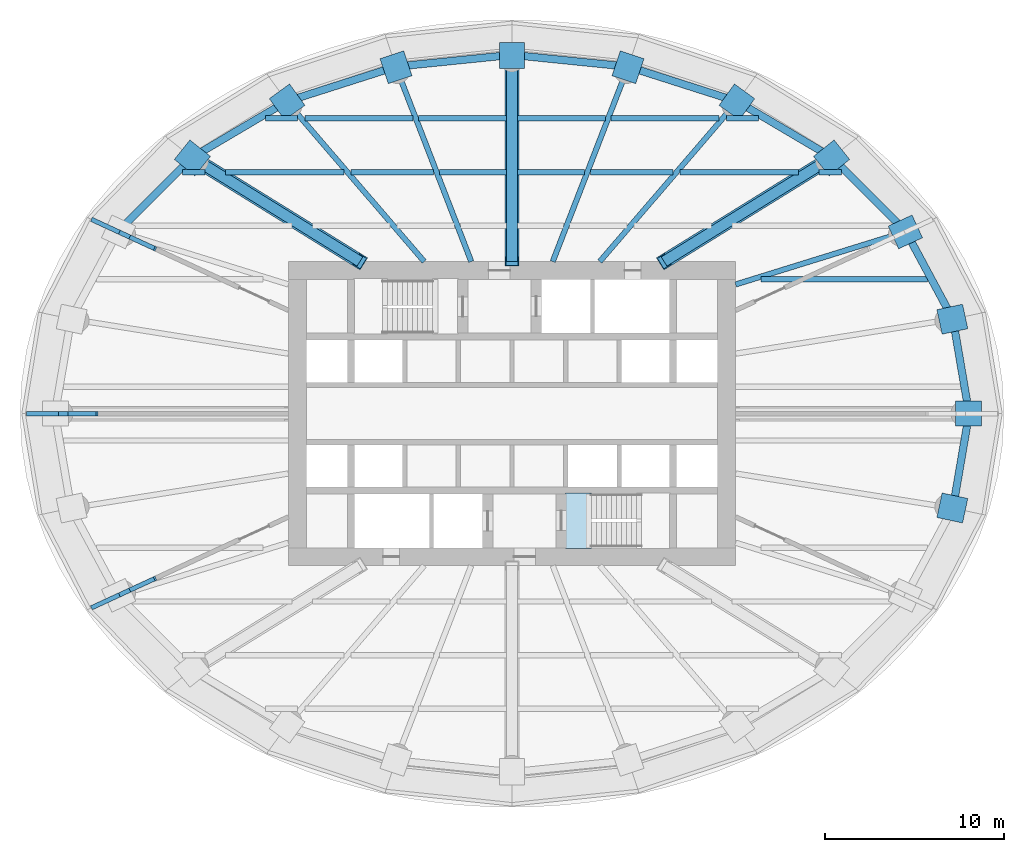
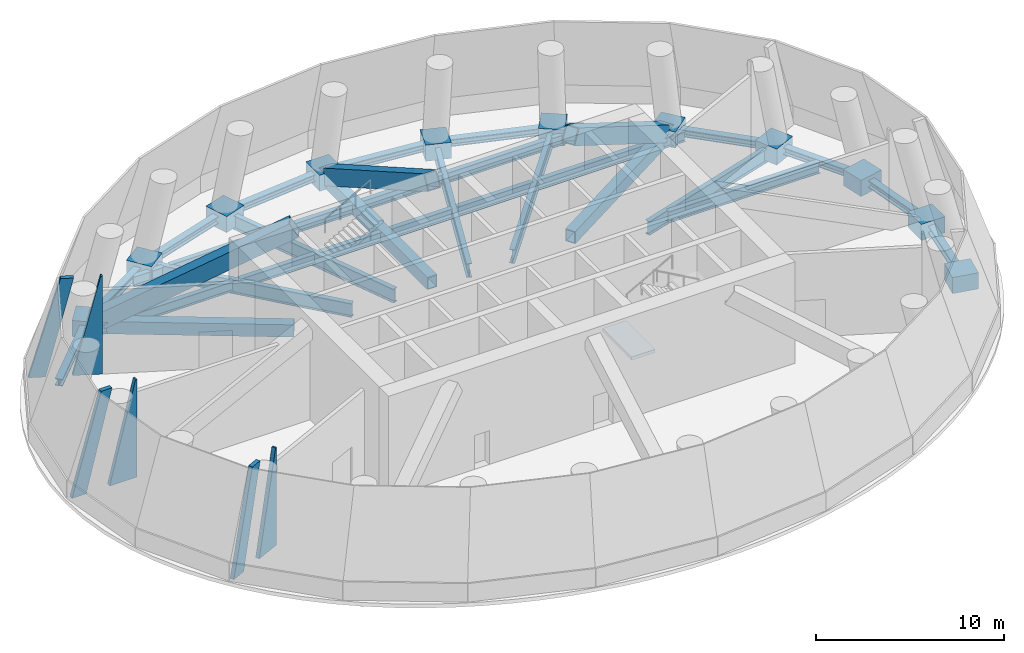
# One storey, part 3 of 7: 45 beams, 6 plates, 3 members, 1 slab, 1 element without a shape of its own.
"""IFC4 building model written with IfcOpenShell, lengths in metres."""

from ifc_helpers import new_model, si_unit, direction, frame, origin, origin_2d, place, context, subcontext, project, spatial, polyline, rectangle, hollow_rectangle, i_section, outline, extrude, material, layer, layer_set, material_profile, profile_set, type_object, element, aggregate, save


model = new_model("IFC4")

# Units and contexts
model_context = context("Model", 3, precision=1e-05, world=origin(), true_north=direction((0.0, 1.0)))
body_context = subcontext(model_context, "Body", "Model", "MODEL_VIEW")
ifc_project = project(units=[si_unit("LENGTHUNIT", "METRE"), si_unit("AREAUNIT", "SQUARE_METRE"), si_unit("VOLUMEUNIT", "CUBIC_METRE"), si_unit("PLANEANGLEUNIT", "RADIAN"), si_unit("MASSUNIT", "GRAM", prefix="KILO")], contexts=[model_context])

# Site, building, storey
site_placement = place(None, origin())
site = spatial("IfcSite", under=ifc_project, at=site_placement, CompositionType="ELEMENT")
building_placement = place(site_placement, origin())
building = spatial("IfcBuilding", under=site, at=building_placement, Name="Hankou Lantern Tower", CompositionType="ELEMENT")
storey_placement = place(building_placement, frame((0.0, 0.0, 93.60009765625)))
storey = spatial("IfcBuildingStorey", under=building, at=storey_placement, Name="L24", CompositionType="ELEMENT", Elevation=93.60009765625)

# Beams
ifc_material_1 = material(Name="Steel Q355B", Category="steel")
ifc_material_profile_1 = material_profile(ifc_material_1, i_section(OverallWidth=0.4169921875, OverallDepth=0.4580078125, WebThickness=0.030029296875, FlangeThickness=0.050048828125, FilletRadius=0.02197265625, at=origin_2d()), Name="HW458x417x30x50")
ifc_profile_set_1 = profile_set([ifc_material_profile_1], Name="Steel Q355B")
beam_type_1 = type_object("IfcBeamType", Name="EB21 RING BEAM HW458x417x30x50", PredefinedType="SPANDREL", material=ifc_profile_set_1)
beam_1_placement = place(storey_placement, frame((25.550048828125, 0.0, -0.47900390625), z_axis=(-0.168489691988, 0.985703415685, 0.0), x_axis=(-0.985703415685, -0.168489691988, 0.0)))
element("IfcBeam", 1, at=beam_1_placement, inside=storey, type_object=beam_type_1, Name="Ring beam R01-R02 L24", PredefinedType="SPANDREL", context=body_context, shape_type="SweptSolid", body=[
    extrude(i_section(OverallWidth=0.4169921875, OverallDepth=0.4580078125, WebThickness=0.030029296875, FlangeThickness=0.050048828125, FilletRadius=0.02197265625, at=origin_2d()), origin(), (0.0, 0.0, 1.0), 5.35986328125),
])
beam_2_placement = place(storey_placement, frame((24.64697265625, 5.283203125, -0.47900390625), z_axis=(-0.473609096023, 0.880735161194, 0.0), x_axis=(-0.880735161194, -0.473609096023, 0.0)))
element("IfcBeam", 2, at=beam_2_placement, inside=storey, type_object=beam_type_1, Name="Ring beam R02-R03 L24", PredefinedType="SPANDREL", context=body_context, shape_type="SweptSolid", body=[
    extrude(i_section(OverallWidth=0.4169921875, OverallDepth=0.4580078125, WebThickness=0.030029296875, FlangeThickness=0.050048828125, FilletRadius=0.02197265625, at=origin_2d()), origin(), (0.0, 0.0, 1.0), 5.548828125),
])
beam_3_placement = place(storey_placement, frame((22.01904296875, 10.170166015625, -0.47900390625), z_axis=(-0.705727798394, 0.708483079949, 0.0), x_axis=(-0.708483079949, -0.705727798394, 0.0)))
element("IfcBeam", 3, at=beam_3_placement, inside=storey, type_object=beam_type_1, Name="Ring beam R03-R04 L24", PredefinedType="SPANDREL", context=body_context, shape_type="SweptSolid", body=[
    extrude(i_section(OverallWidth=0.4169921875, OverallDepth=0.4580078125, WebThickness=0.030029296875, FlangeThickness=0.050048828125, FilletRadius=0.02197265625, at=origin_2d()), origin(), (0.0, 0.0, 1.0), 5.84814453125),
])
beam_4_placement = place(storey_placement, frame((17.891845703125, 14.3134765625, -0.47900390625), z_axis=(-0.860881533543, 0.508805449268, 0.0), x_axis=(-0.508805449268, -0.860881533543, 0.0)))
element("IfcBeam", 4, at=beam_4_placement, inside=storey, type_object=beam_type_1, Name="Ring beam R04-R05 L24", PredefinedType="SPANDREL", context=body_context, shape_type="SweptSolid", body=[
    extrude(i_section(OverallWidth=0.4169921875, OverallDepth=0.4580078125, WebThickness=0.030029296875, FlangeThickness=0.050048828125, FilletRadius=0.02197265625, at=origin_2d()), origin(), (0.0, 0.0, 1.0), 6.15771484375),
])
beam_5_placement = place(storey_placement, frame((12.5908203125, 17.446533203125, -0.47900390625), z_axis=(-0.952690479428, 0.303942182671, 0.0), x_axis=(-0.303942182671, -0.952690479428, 0.0)))
element("IfcBeam", 5, at=beam_5_placement, inside=storey, type_object=beam_type_1, Name="Ring beam R05-R06 L24", PredefinedType="SPANDREL", context=body_context, shape_type="SweptSolid", body=[
    extrude(i_section(OverallWidth=0.4169921875, OverallDepth=0.4580078125, WebThickness=0.030029296875, FlangeThickness=0.050048828125, FilletRadius=0.02197265625, at=origin_2d()), origin(), (0.0, 0.0, 1.0), 6.398681640625),
])
for number, where, z_axis, x_axis, name in (
    (6, (6.494873046875, 19.391357421875, -0.47900390625), (-0.994896616842, 0.100899562915, 0.0), (-0.100899562915, -0.994896616842, 0.0), "Ring beam R06-R07 L24"),
    (7, (0.0, 20.050048828125, -0.47900390625), (-0.994896616842, -0.100899562915, 0.0), (0.100899562915, -0.994896616842, 0.0), "Ring beam R07-R08 L24"),
):
    element("IfcBeam", number, at=place(storey_placement, frame(where, z_axis=z_axis, x_axis=x_axis)), inside=storey, type_object=beam_type_1, Name=name, PredefinedType="SPANDREL", context=body_context, shape_type="SweptSolid", body=[
        extrude(i_section(OverallWidth=0.4169921875, OverallDepth=0.4580078125, WebThickness=0.030029296875, FlangeThickness=0.050048828125, FilletRadius=0.02197265625, at=origin_2d()), origin(), (0.0, 0.0, 1.0), 6.528076171875),
    ])
beam_6_placement = place(storey_placement, frame((-6.494873046875, 19.391357421875, -0.47900390625), z_axis=(-0.952690479428, -0.303942182671, 0.0), x_axis=(0.303942182671, -0.952690479428, 0.0)))
element("IfcBeam", 8, at=beam_6_placement, inside=storey, type_object=beam_type_1, Name="Ring beam R08-R09 L24", PredefinedType="SPANDREL", context=body_context, shape_type="SweptSolid", body=[
    extrude(i_section(OverallWidth=0.4169921875, OverallDepth=0.4580078125, WebThickness=0.030029296875, FlangeThickness=0.050048828125, FilletRadius=0.02197265625, at=origin_2d()), origin(), (0.0, 0.0, 1.0), 6.398681640625),
])
beam_7_placement = place(storey_placement, frame((-12.5908203125, 17.446533203125, -0.47900390625), z_axis=(-0.860881533543, -0.508805449268, 0.0), x_axis=(0.508805449268, -0.860881533543, 0.0)))
element("IfcBeam", 9, at=beam_7_placement, inside=storey, type_object=beam_type_1, Name="Ring beam R09-R10 L24", PredefinedType="SPANDREL", context=body_context, shape_type="SweptSolid", body=[
    extrude(i_section(OverallWidth=0.4169921875, OverallDepth=0.4580078125, WebThickness=0.030029296875, FlangeThickness=0.050048828125, FilletRadius=0.02197265625, at=origin_2d()), origin(), (0.0, 0.0, 1.0), 6.15771484375),
])
beam_8_placement = place(storey_placement, frame((-17.891845703125, 14.3134765625, -0.47900390625), z_axis=(-0.705727798394, -0.708483079949, 0.0), x_axis=(0.708483079949, -0.705727798394, 0.0)))
element("IfcBeam", 10, at=beam_8_placement, inside=storey, type_object=beam_type_1, Name="Ring beam R10-R11 L24", PredefinedType="SPANDREL", context=body_context, shape_type="SweptSolid", body=[
    extrude(i_section(OverallWidth=0.4169921875, OverallDepth=0.4580078125, WebThickness=0.030029296875, FlangeThickness=0.050048828125, FilletRadius=0.02197265625, at=origin_2d()), origin(), (0.0, 0.0, 1.0), 5.84814453125),
])
beam_9_placement = place(storey_placement, frame((24.64697265625, -5.283203125, -0.47900390625), z_axis=(0.168489691988, 0.985703415685, 0.0), x_axis=(-0.985703415685, 0.168489691988, 0.0)))
element("IfcBeam", 11, at=beam_9_placement, inside=storey, type_object=beam_type_1, Name="Ring beam R24-R01 L24", PredefinedType="SPANDREL", context=body_context, shape_type="SweptSolid", body=[
    extrude(i_section(OverallWidth=0.4169921875, OverallDepth=0.4580078125, WebThickness=0.030029296875, FlangeThickness=0.050048828125, FilletRadius=0.02197265625, at=origin_2d()), origin(), (0.0, 0.0, 1.0), 5.35986328125),
])

# Members
ifc_material_2 = material(Name="Steel Q390GJ", Category="steel")
ifc_material_profile_2 = material_profile(ifc_material_2, hollow_rectangle(XDim=0.800048828125, YDim=1.0, WallThickness=0.06005859375, at=origin_2d()), Name="BOX1000x800x60")
ifc_profile_set_2 = profile_set([ifc_material_profile_2], Name="Steel Q390GJ")
member_type = type_object("IfcMemberType", Name="OD1 OUTRIGGER DIAGONAL BOX1000x800x60", PredefinedType="BRACE", material=ifc_profile_set_2)
member_1_placement = place(storey_placement, frame((8.5, 8.5, 5.949951171875), z_axis=(0.72990653743, 0.45180624579, -0.512940116273), x_axis=(-0.526320372414, 0.850286343288, 0.0)))
element("IfcMember", 12, at=member_1_placement, inside=storey, type_object=member_type, Name="Outrigger diagonal R04 L24", PredefinedType="BRACE", context=body_context, shape_type="SweptSolid", body=[
    extrude(hollow_rectangle(XDim=0.800048828125, YDim=1.0, WallThickness=0.06005859375, at=origin_2d()), origin(), (0.0, 0.0, 1.0), 12.8671875),
])
member_2_placement = place(storey_placement, frame((0.0, 8.5, 5.949951171875), z_axis=(0.0, 0.86824088334, -0.496142891209), x_axis=(-1.0, 0.0, 0.0)))
element("IfcMember", 13, at=member_2_placement, inside=storey, type_object=member_type, Name="Outrigger diagonal R07 L24", PredefinedType="BRACE", context=body_context, shape_type="SweptSolid", body=[
    extrude(hollow_rectangle(XDim=0.800048828125, YDim=1.0, WallThickness=0.06005859375, at=origin_2d()), origin(), (0.0, 0.0, 1.0), 13.302734375),
])
member_3_placement = place(storey_placement, frame((-8.5, 8.5, 5.949951171875), z_axis=(-0.72990653743, 0.45180624579, -0.512940116273), x_axis=(-0.526320372414, -0.850286343288, 0.0)))
element("IfcMember", 14, at=member_3_placement, inside=storey, type_object=member_type, Name="Outrigger diagonal R10 L24", PredefinedType="BRACE", context=body_context, shape_type="SweptSolid", body=[
    extrude(hollow_rectangle(XDim=0.800048828125, YDim=1.0, WallThickness=0.06005859375, at=origin_2d()), origin(), (0.0, 0.0, 1.0), 12.8671875),
])

# Beams
ifc_material_3 = material(Name="Steel Q390GJ", Category="steel")
ifc_material_profile_3 = material_profile(ifc_material_3, hollow_rectangle(XDim=0.60009765625, YDim=0.800048828125, WallThickness=0.050048828125, at=origin_2d()), Name="BOX800x600x50")
ifc_profile_set_3 = profile_set([ifc_material_profile_3], Name="Steel Q390GJ")
beam_type_2 = type_object("IfcBeamType", Name="OT1 OUTRIGGER CHORD BOX800x600x50", PredefinedType="BEAM", material=ifc_profile_set_3)
beam_10_placement = place(storey_placement, frame((8.5, 8.5, -0.650146484375), z_axis=(0.850286343288, 0.526320372414, 0.0), x_axis=(-0.526320372414, 0.850286343288, 0.0)))
element("IfcBeam", 15, at=beam_10_placement, inside=storey, type_object=beam_type_2, Name="Radial beam R04 L24", PredefinedType="BEAM", context=body_context, shape_type="SweptSolid", body=[
    extrude(hollow_rectangle(XDim=0.60009765625, YDim=0.800048828125, WallThickness=0.050048828125, at=origin_2d()), origin(), (0.0, 0.0, 1.0), 11.04541015625),
])
beam_11_placement = place(storey_placement, frame((0.0, 8.5, -0.650146484375), z_axis=(0.0, 1.0, 0.0), x_axis=(-1.0, 0.0, 0.0)))
element("IfcBeam", 16, at=beam_11_placement, inside=storey, type_object=beam_type_2, Name="Radial beam R07 L24", PredefinedType="BEAM", context=body_context, shape_type="SweptSolid", body=[
    extrude(hollow_rectangle(XDim=0.60009765625, YDim=0.800048828125, WallThickness=0.050048828125, at=origin_2d()), origin(), (0.0, 0.0, 1.0), 11.550048828125),
])
beam_12_placement = place(storey_placement, frame((-8.5, 8.5, -0.650146484375), z_axis=(-0.850286343288, 0.526320372414, 0.0), x_axis=(-0.526320372414, -0.850286343288, 0.0)))
element("IfcBeam", 17, at=beam_12_placement, inside=storey, type_object=beam_type_2, Name="Radial beam R10 L24", PredefinedType="BEAM", context=body_context, shape_type="SweptSolid", body=[
    extrude(hollow_rectangle(XDim=0.60009765625, YDim=0.800048828125, WallThickness=0.050048828125, at=origin_2d()), origin(), (0.0, 0.0, 1.0), 11.04541015625),
])
ifc_material_4 = material(Name="Steel Q355B", Category="steel")
ifc_material_profile_4 = material_profile(ifc_material_4, i_section(OverallWidth=0.300048828125, OverallDepth=0.89990234375, WebThickness=0.01611328125, FlangeThickness=0.028076171875, FilletRadius=0.01806640625, at=origin_2d()), Name="HN900x300x16x28")
ifc_profile_set_4 = profile_set([ifc_material_profile_4], Name="Steel Q355B")
beam_type_3 = type_object("IfcBeamType", Name="RB13 RADIAL BEAM HN900x300x16x28", PredefinedType="BEAM", material=ifc_profile_set_4)
beam_13_placement = place(storey_placement, frame((12.5, 7.216796875, -0.7001953125), z_axis=(0.955087327755, 0.29632447817, 0.0), x_axis=(-0.29632447817, 0.955087327755, 0.0)))
element("IfcBeam", 18, at=beam_13_placement, inside=storey, type_object=beam_type_3, Name="Radial beam R03 L24", PredefinedType="BEAM", context=body_context, shape_type="SweptSolid", body=[
    extrude(i_section(OverallWidth=0.300048828125, OverallDepth=0.89990234375, WebThickness=0.01611328125, FlangeThickness=0.028076171875, FilletRadius=0.01806640625, at=origin_2d()), origin(), (0.0, 0.0, 1.0), 9.966552734375),
])
beam_14_placement = place(storey_placement, frame((4.907470703125, 8.5, -0.7001953125), z_axis=(0.651519061225, 0.758632264579, 0.0), x_axis=(-0.758632264579, 0.651519061225, 0.0)))
element("IfcBeam", 19, at=beam_14_placement, inside=storey, type_object=beam_type_3, Name="Radial beam R05 L24", PredefinedType="BEAM", context=body_context, shape_type="SweptSolid", body=[
    extrude(i_section(OverallWidth=0.300048828125, OverallDepth=0.89990234375, WebThickness=0.01611328125, FlangeThickness=0.028076171875, FilletRadius=0.01806640625, at=origin_2d()), origin(), (0.0, 0.0, 1.0), 11.79296875),
])
for number, where, z_axis, x_axis, name in (
    (20, (2.277587890625, 8.5, -0.7001953125), (0.361089103374, 0.932531318201, 0.0), (-0.932531318201, 0.361089103374, 0.0), "Radial beam R06 L24"),
    (21, (-2.277587890625, 8.5, -0.7001953125), (-0.361089103374, 0.932531318201, 0.0), (-0.932531318201, -0.361089103374, 0.0), "Radial beam R08 L24"),
):
    element("IfcBeam", number, at=place(storey_placement, frame(where, z_axis=z_axis, x_axis=x_axis)), inside=storey, type_object=beam_type_3, Name=name, PredefinedType="BEAM", context=body_context, shape_type="SweptSolid", body=[
        extrude(i_section(OverallWidth=0.300048828125, OverallDepth=0.89990234375, WebThickness=0.01611328125, FlangeThickness=0.028076171875, FilletRadius=0.01806640625, at=origin_2d()), origin(), (0.0, 0.0, 1.0), 11.679443359375),
    ])
beam_15_placement = place(storey_placement, frame((-4.907470703125, 8.5, -0.7001953125), z_axis=(-0.651519061225, 0.758632264579, 0.0), x_axis=(-0.758632264579, -0.651519061225, 0.0)))
element("IfcBeam", 22, at=beam_15_placement, inside=storey, type_object=beam_type_3, Name="Radial beam R09 L24", PredefinedType="BEAM", context=body_context, shape_type="SweptSolid", body=[
    extrude(i_section(OverallWidth=0.300048828125, OverallDepth=0.89990234375, WebThickness=0.01611328125, FlangeThickness=0.028076171875, FilletRadius=0.01806640625, at=origin_2d()), origin(), (0.0, 0.0, 1.0), 11.79296875),
])
ifc_material_5 = material(Name="Steel Q355B", Category="steel")
ifc_material_profile_5 = material_profile(ifc_material_5, i_section(OverallWidth=0.300048828125, OverallDepth=0.75, WebThickness=0.012939453125, FlangeThickness=0.02392578125, FilletRadius=0.01806640625, at=origin_2d()), Name="HN750x300x13x24")
ifc_profile_set_5 = profile_set([ifc_material_profile_5], Name="Steel Q355B")
beam_type_4 = type_object("IfcBeamType", Name="SB10 SECONDARY BEAM HN750x300x13x24", PredefinedType="JOIST", material=ifc_profile_set_5)
beam_16_placement = place(storey_placement, frame((13.918701171875, 7.5, -0.625), z_axis=(1.0, 0.0, 0.0), x_axis=(0.0, 1.0, 0.0)))
element("IfcBeam", 23, at=beam_16_placement, inside=storey, type_object=beam_type_4, Name="Floor joist J038 L24", PredefinedType="JOIST", context=body_context, shape_type="SweptSolid", body=[
    extrude(i_section(OverallWidth=0.300048828125, OverallDepth=0.75, WebThickness=0.012939453125, FlangeThickness=0.02392578125, FilletRadius=0.01806640625, at=origin_2d()), origin(), (0.0, 0.0, 1.0), 9.299560546875),
])
ifc_material_6 = material(Name="Steel Q355B", Category="steel")
ifc_material_profile_6 = material_profile(ifc_material_6, i_section(OverallWidth=0.300048828125, OverallDepth=0.64990234375, WebThickness=0.010986328125, FlangeThickness=0.01708984375, FilletRadius=0.01806640625, at=origin_2d()), Name="HN650x300x11x17")
ifc_profile_set_6 = profile_set([ifc_material_profile_6], Name="Steel Q355B")
beam_type_5 = type_object("IfcBeamType", Name="SB8 SECONDARY BEAM HN650x300x11x17", PredefinedType="JOIST", material=ifc_profile_set_6)
beam_17_placement = place(storey_placement, frame((-18.40771484375, 13.5, -0.5751953125), z_axis=(1.0, 0.0, 0.0), x_axis=(0.0, 1.0, 0.0)))
element("IfcBeam", 24, at=beam_17_placement, inside=storey, type_object=beam_type_5, Name="Floor joist J047 L24", PredefinedType="JOIST", context=body_context, shape_type="SweptSolid", body=[
    extrude(i_section(OverallWidth=0.300048828125, OverallDepth=0.64990234375, WebThickness=0.010986328125, FlangeThickness=0.01708984375, FilletRadius=0.01806640625, at=origin_2d()), origin(), (0.0, 0.0, 1.0), 1.260009765625),
])
beam_18_placement = place(storey_placement, frame((-16.0078125, 13.5, -0.5751953125), z_axis=(1.0, 0.0, 0.0), x_axis=(0.0, 1.0, 0.0)))
element("IfcBeam", 25, at=beam_18_placement, inside=storey, type_object=beam_type_5, Name="Floor joist J048 L24", PredefinedType="JOIST", context=body_context, shape_type="SweptSolid", body=[
    extrude(i_section(OverallWidth=0.300048828125, OverallDepth=0.64990234375, WebThickness=0.010986328125, FlangeThickness=0.01708984375, FilletRadius=0.01806640625, at=origin_2d()), origin(), (0.0, 0.0, 1.0), 6.6083984375),
])
beam_19_placement = place(storey_placement, frame((-9.00390625, 13.5, -0.5751953125), z_axis=(1.0, 0.0, 0.0), x_axis=(0.0, 1.0, 0.0)))
element("IfcBeam", 26, at=beam_19_placement, inside=storey, type_object=beam_type_5, Name="Floor joist J049 L24", PredefinedType="JOIST", context=body_context, shape_type="SweptSolid", body=[
    extrude(i_section(OverallWidth=0.300048828125, OverallDepth=0.64990234375, WebThickness=0.010986328125, FlangeThickness=0.01708984375, FilletRadius=0.01806640625, at=origin_2d()), origin(), (0.0, 0.0, 1.0), 4.62939453125),
])
for number, where, z_axis, x_axis, name in (
    (27, (-4.052734375, 13.5, -0.5751953125), (1.0, 0.0, 0.0), (0.0, 1.0, 0.0), "Floor joist J050 L24"),
    (28, (0.300048828125, 13.5, -0.5751953125), (1.0, 0.0, 0.0), (0.0, 1.0, 0.0), "Floor joist J051 L24"),
):
    element("IfcBeam", number, at=place(storey_placement, frame(where, z_axis=z_axis, x_axis=x_axis)), inside=storey, type_object=beam_type_5, Name=name, PredefinedType="JOIST", context=body_context, shape_type="SweptSolid", body=[
        extrude(i_section(OverallWidth=0.300048828125, OverallDepth=0.64990234375, WebThickness=0.010986328125, FlangeThickness=0.01708984375, FilletRadius=0.01806640625, at=origin_2d()), origin(), (0.0, 0.0, 1.0), 3.752685546875),
    ])
beam_20_placement = place(storey_placement, frame((4.37451171875, 13.5, -0.5751953125), z_axis=(1.0, 0.0, 0.0), x_axis=(0.0, 1.0, 0.0)))
element("IfcBeam", 29, at=beam_20_placement, inside=storey, type_object=beam_type_5, Name="Floor joist J052 L24", PredefinedType="JOIST", context=body_context, shape_type="SweptSolid", body=[
    extrude(i_section(OverallWidth=0.300048828125, OverallDepth=0.64990234375, WebThickness=0.010986328125, FlangeThickness=0.01708984375, FilletRadius=0.01806640625, at=origin_2d()), origin(), (0.0, 0.0, 1.0), 4.62939453125),
])
beam_21_placement = place(storey_placement, frame((9.3994140625, 13.5, -0.5751953125), z_axis=(1.0, 0.0, 0.0), x_axis=(0.0, 1.0, 0.0)))
element("IfcBeam", 30, at=beam_21_placement, inside=storey, type_object=beam_type_5, Name="Floor joist J053 L24", PredefinedType="JOIST", context=body_context, shape_type="SweptSolid", body=[
    extrude(i_section(OverallWidth=0.300048828125, OverallDepth=0.64990234375, WebThickness=0.010986328125, FlangeThickness=0.01708984375, FilletRadius=0.01806640625, at=origin_2d()), origin(), (0.0, 0.0, 1.0), 6.6083984375),
])
beam_22_placement = place(storey_placement, frame((17.147705078125, 13.5, -0.5751953125), z_axis=(1.0, 0.0, 0.0), x_axis=(0.0, 1.0, 0.0)))
element("IfcBeam", 31, at=beam_22_placement, inside=storey, type_object=beam_type_5, Name="Floor joist J054 L24", PredefinedType="JOIST", context=body_context, shape_type="SweptSolid", body=[
    extrude(i_section(OverallWidth=0.300048828125, OverallDepth=0.64990234375, WebThickness=0.010986328125, FlangeThickness=0.01708984375, FilletRadius=0.01806640625, at=origin_2d()), origin(), (0.0, 0.0, 1.0), 1.260009765625),
])
beam_23_placement = place(storey_placement, frame((-13.782470703125, 16.5, -0.5751953125), z_axis=(1.0, 0.0, 0.0), x_axis=(0.0, 1.0, 0.0)))
element("IfcBeam", 32, at=beam_23_placement, inside=storey, type_object=beam_type_5, Name="Floor joist J055 L24", PredefinedType="JOIST", context=body_context, shape_type="SweptSolid", body=[
    extrude(i_section(OverallWidth=0.300048828125, OverallDepth=0.64990234375, WebThickness=0.010986328125, FlangeThickness=0.01708984375, FilletRadius=0.01806640625, at=origin_2d()), origin(), (0.0, 0.0, 1.0), 1.806640625),
])
beam_24_placement = place(storey_placement, frame((-11.580322265625, 16.5, -0.5751953125), z_axis=(1.0, 0.0, 0.0), x_axis=(0.0, 1.0, 0.0)))
element("IfcBeam", 33, at=beam_24_placement, inside=storey, type_object=beam_type_5, Name="Floor joist J056 L24", PredefinedType="JOIST", context=body_context, shape_type="SweptSolid", body=[
    extrude(i_section(OverallWidth=0.300048828125, OverallDepth=0.64990234375, WebThickness=0.010986328125, FlangeThickness=0.01708984375, FilletRadius=0.01806640625, at=origin_2d()), origin(), (0.0, 0.0, 1.0), 6.044189453125),
])
for number, where, z_axis, x_axis, name in (
    (34, (-5.21435546875, 16.5, -0.5751953125), (1.0, 0.0, 0.0), (0.0, 1.0, 0.0), "Floor joist J057 L24"),
    (35, (0.300048828125, 16.5, -0.5751953125), (1.0, 0.0, 0.0), (0.0, 1.0, 0.0), "Floor joist J058 L24"),
):
    element("IfcBeam", number, at=place(storey_placement, frame(where, z_axis=z_axis, x_axis=x_axis)), inside=storey, type_object=beam_type_5, Name=name, PredefinedType="JOIST", context=body_context, shape_type="SweptSolid", body=[
        extrude(i_section(OverallWidth=0.300048828125, OverallDepth=0.64990234375, WebThickness=0.010986328125, FlangeThickness=0.01708984375, FilletRadius=0.01806640625, at=origin_2d()), origin(), (0.0, 0.0, 1.0), 4.914306640625),
    ])
beam_25_placement = place(storey_placement, frame((5.5361328125, 16.5, -0.5751953125), z_axis=(1.0, 0.0, 0.0), x_axis=(0.0, 1.0, 0.0)))
element("IfcBeam", 36, at=beam_25_placement, inside=storey, type_object=beam_type_5, Name="Floor joist J059 L24", PredefinedType="JOIST", context=body_context, shape_type="SweptSolid", body=[
    extrude(i_section(OverallWidth=0.300048828125, OverallDepth=0.64990234375, WebThickness=0.010986328125, FlangeThickness=0.01708984375, FilletRadius=0.01806640625, at=origin_2d()), origin(), (0.0, 0.0, 1.0), 6.044189453125),
])
beam_26_placement = place(storey_placement, frame((11.975830078125, 16.5, -0.5751953125), z_axis=(1.0, 0.0, 0.0), x_axis=(0.0, 1.0, 0.0)))
element("IfcBeam", 37, at=beam_26_placement, inside=storey, type_object=beam_type_5, Name="Floor joist J060 L24", PredefinedType="JOIST", context=body_context, shape_type="SweptSolid", body=[
    extrude(i_section(OverallWidth=0.300048828125, OverallDepth=0.64990234375, WebThickness=0.010986328125, FlangeThickness=0.01708984375, FilletRadius=0.01806640625, at=origin_2d()), origin(), (0.0, 0.0, 1.0), 1.806640625),
])
ifc_material_7 = material(Name="Concrete C60", Category="concrete")
ifc_material_profile_7 = material_profile(ifc_material_7, rectangle(XDim=1.39990234375, YDim=1.050048828125, at=origin_2d()), Name="RC 1400x1050")
ifc_profile_set_7 = profile_set([ifc_material_profile_7], Name="Concrete C60")
beam_type_6 = type_object("IfcBeamType", Name="TN1 TRANSFER NODE RC 1400x1050", PredefinedType="BEAM", material=ifc_profile_set_7)
beam_27_placement = place(storey_placement, frame((26.25, 0.0, -0.525146484375), z_axis=(-1.0, 0.0, 0.0), x_axis=(0.0, -1.0, 0.0)))
element("IfcBeam", 38, at=beam_27_placement, inside=storey, type_object=beam_type_6, Name="Transfer node R01 L24", PredefinedType="BEAM", context=body_context, shape_type="SweptSolid", body=[
    extrude(rectangle(XDim=1.39990234375, YDim=1.050048828125, at=origin_2d()), origin(), (0.0, 0.0, 1.0), 1.469970703125),
])
beam_28_placement = place(storey_placement, frame((25.33154296875, 5.429931640625, -0.525146484375), z_axis=(-0.977792692127, -0.209574452694, 0.0), x_axis=(0.209574452694, -0.977792692127, 0.0)))
element("IfcBeam", 39, at=beam_28_placement, inside=storey, type_object=beam_type_6, Name="Transfer node R02 L24", PredefinedType="BEAM", context=body_context, shape_type="SweptSolid", body=[
    extrude(rectangle(XDim=1.39990234375, YDim=1.050048828125, at=origin_2d()), origin(), (0.0, 0.0, 1.0), 1.47021484375),
])
for number, where, z_axis, x_axis, name in (
    (40, (22.654541015625, 10.463623046875, -0.525146484375), (-0.907881587246, -0.419226697074, 0.0), (0.419226697074, -0.907881587246, 0.0), "Transfer node R03 L24"),
    (41, (18.438232421875, 14.750732421875, -0.525146484375), (-0.780771578752, -0.624816566532, 0.0), (0.624816566532, -0.780771578752, 0.0), "Transfer node R04 L24"),
    (42, (13.00048828125, 18.01416015625, -0.525146484375), (-0.585096341769, -0.81096379133, 0.0), (0.81096379133, -0.585096341769, 0.0), "Transfer node R05 L24"),
):
    element("IfcBeam", number, at=place(storey_placement, frame(where, z_axis=z_axis, x_axis=x_axis)), inside=storey, type_object=beam_type_6, Name=name, PredefinedType="BEAM", context=body_context, shape_type="SweptSolid", body=[
        extrude(rectangle(XDim=1.39990234375, YDim=1.050048828125, at=origin_2d()), origin(), (0.0, 0.0, 1.0), 1.469970703125),
    ])
beam_29_placement = place(storey_placement, frame((6.71728515625, 20.05517578125, -0.525146484375), z_axis=(-0.317672118321, -0.948200624995, 0.0), x_axis=(0.948200624995, -0.317672118321, 0.0)))
element("IfcBeam", 43, at=beam_29_placement, inside=storey, type_object=beam_type_6, Name="Transfer node R06 L24", PredefinedType="BEAM", context=body_context, shape_type="SweptSolid", body=[
    extrude(rectangle(XDim=1.39990234375, YDim=1.050048828125, at=origin_2d()), origin(), (0.0, 0.0, 1.0), 1.47021484375),
])
beam_30_placement = place(storey_placement, frame((0.0, 20.75, -0.525146484375), z_axis=(0.0, -1.0, 0.0), x_axis=(1.0, 0.0, 0.0)))
element("IfcBeam", 44, at=beam_30_placement, inside=storey, type_object=beam_type_6, Name="Transfer node R07 L24", PredefinedType="BEAM", context=body_context, shape_type="SweptSolid", body=[
    extrude(rectangle(XDim=1.39990234375, YDim=1.050048828125, at=origin_2d()), origin(), (0.0, 0.0, 1.0), 1.469970703125),
])
beam_31_placement = place(storey_placement, frame((-6.71728515625, 20.05517578125, -0.525146484375), z_axis=(0.317672118321, -0.948200624995, 0.0), x_axis=(0.948200624995, 0.317672118321, 0.0)))
element("IfcBeam", 45, at=beam_31_placement, inside=storey, type_object=beam_type_6, Name="Transfer node R08 L24", PredefinedType="BEAM", context=body_context, shape_type="SweptSolid", body=[
    extrude(rectangle(XDim=1.39990234375, YDim=1.050048828125, at=origin_2d()), origin(), (0.0, 0.0, 1.0), 1.47021484375),
])
for number, where, z_axis, x_axis, name in (
    (46, (-13.00048828125, 18.01416015625, -0.525146484375), (0.585096341769, -0.81096379133, 0.0), (0.81096379133, 0.585096341769, 0.0), "Transfer node R09 L24"),
    (47, (-18.438232421875, 14.750732421875, -0.525146484375), (0.780771578752, -0.624816566532, 0.0), (0.624816566532, 0.780771578752, 0.0), "Transfer node R10 L24"),
):
    element("IfcBeam", number, at=place(storey_placement, frame(where, z_axis=z_axis, x_axis=x_axis)), inside=storey, type_object=beam_type_6, Name=name, PredefinedType="BEAM", context=body_context, shape_type="SweptSolid", body=[
        extrude(rectangle(XDim=1.39990234375, YDim=1.050048828125, at=origin_2d()), origin(), (0.0, 0.0, 1.0), 1.469970703125),
    ])
beam_32_placement = place(storey_placement, frame((25.33154296875, -5.429931640625, -0.525146484375), z_axis=(-0.977792692127, 0.209574452694, 0.0), x_axis=(-0.209574452694, -0.977792692127, 0.0)))
element("IfcBeam", 48, at=beam_32_placement, inside=storey, type_object=beam_type_6, Name="Transfer node R24 L24", PredefinedType="BEAM", context=body_context, shape_type="SweptSolid", body=[
    extrude(rectangle(XDim=1.39990234375, YDim=1.050048828125, at=origin_2d()), origin(), (0.0, 0.0, 1.0), 1.47021484375),
])

# Plates
ifc_material_8 = material(Name="Fire-rated calcium silicate board on steel studs", Category="steel")
ifc_layer_1 = layer(ifc_material_8, 0.25)
ifc_layer_set_1 = layer_set([ifc_layer_1], Name="Fire-rated calcium silicate board on steel studs")
plate_type = type_object("IfcPlateType", Name="FC1 FIRE CLOSURE PANEL", PredefinedType="USERDEFINED", material=ifc_layer_set_1)
plate_1_placement = place(storey_placement, frame((-19.853271484375, 9.307373046875, 0.0), z_axis=(0.419393426633, 0.907804579011, -4.922638e-06), x_axis=(-0.907804579022, 0.419393426638, -9.6e-11)))
element("IfcPlate", 49, at=plate_1_placement, inside=storey, type_object=plate_type, Name="Fire closure panel R11 inner L24", ObjectType="FIRE CLOSURE", PredefinedType="USERDEFINED", context=body_context, shape_type="SweptSolid", body=[
    extrude(outline(polyline([(0.0, 0.0), (1.6084871154613805, 0.0), (0.1000583423558926, 6.349853515711508), (-6.074430456054163e-10, 6.349853515548064), (0.0, 0.0)])), origin(), (0.0, 0.0, -1.0), 0.25),
])
plate_2_placement = place(storey_placement, frame((-22.619873046875, 10.58544921875, 0.0), z_axis=(0.419200940148, 0.907893479038, 4.9991477e-05), x_axis=(-0.907893480173, 0.419200940672, -8.841e-09)))
element("IfcPlate", 50, at=plate_2_placement, inside=storey, type_object=plate_type, Name="Fire closure panel R11 outer L24", ObjectType="FIRE CLOSURE", PredefinedType="USERDEFINED", context=body_context, shape_type="SweptSolid", body=[
    extrude(outline(polyline([(0.0, 0.0), (0.9186677765257891, 0.0), (-0.8006883825185531, 6.34985351648035), (-1.508650461671541, 6.349853502098548), (0.0, 0.0)])), origin(), (0.0, 0.0, -1.0), 0.25),
])
plate_3_placement = place(storey_placement, frame((-19.853271484375, -9.307373046875, 0.0), z_axis=(0.419393426633, -0.907804579011, -4.922638e-06), x_axis=(-0.907804579022, -0.419393426638, -9.6e-11)))
element("IfcPlate", 51, at=plate_3_placement, inside=storey, type_object=plate_type, Name="Fire closure panel R15 inner L24", ObjectType="FIRE CLOSURE", PredefinedType="USERDEFINED", context=body_context, shape_type="SweptSolid", body=[
    extrude(outline(polyline([(0.0, 0.0), (1.6084871154613805, 0.0), (0.1000583423558926, -6.349853515711508), (-6.074430456054163e-10, -6.349853515548064), (0.0, 0.0)])), origin(), (0.0, 0.0, -1.0), 0.25),
])
plate_4_placement = place(storey_placement, frame((-22.619873046875, -10.58544921875, 0.0), z_axis=(0.419200940148, -0.907893479038, 4.9991477e-05), x_axis=(-0.907893480173, -0.419200940672, -8.841e-09)))
element("IfcPlate", 52, at=plate_4_placement, inside=storey, type_object=plate_type, Name="Fire closure panel R15 outer L24", ObjectType="FIRE CLOSURE", PredefinedType="USERDEFINED", context=body_context, shape_type="SweptSolid", body=[
    extrude(outline(polyline([(0.0, 0.0), (0.9186677765257891, 0.0), (-0.8006883825185531, -6.34985351648035), (-1.508650461671541, -6.349853502098548), (0.0, 0.0)])), origin(), (0.0, 0.0, -1.0), 0.25),
])
plate_5_placement = place(storey_placement, frame((-23.140869140625, 0.125, 0.0), z_axis=(0.0, 1.0, 0.0), x_axis=(-1.0, 0.0, 0.0)))
element("IfcPlate", 53, at=plate_5_placement, inside=storey, type_object=plate_type, Name="Fire closure panel R13 inner L24", ObjectType="FIRE CLOSURE", PredefinedType="USERDEFINED", context=body_context, shape_type="SweptSolid", body=[
    extrude(outline(polyline([(0.0, 0.0), (1.6875, 0.0), (0.10009765625, 6.349853515625), (0.0, 6.349853515625), (0.0, 0.0)])), origin(), (0.0, 0.0, -1.0), 0.25),
])
plate_6_placement = place(storey_placement, frame((-26.271484375, 0.125, 0.0), z_axis=(0.0, 1.0, 0.0), x_axis=(-1.0, 0.0, 0.0)))
element("IfcPlate", 54, at=plate_6_placement, inside=storey, type_object=plate_type, Name="Fire closure panel R13 outer L24", ObjectType="FIRE CLOSURE", PredefinedType="USERDEFINED", context=body_context, shape_type="SweptSolid", body=[
    extrude(outline(polyline([(0.0, 0.0), (0.87841796875, 0.0), (-0.92138671875, 6.349853515625), (-1.58740234375, 6.349853515625), (0.0, 0.0)])), origin(), (0.0, 0.0, -1.0), 0.25),
])

# Stair, slab
ifc_material_9 = material(Name="Concrete C40", Category="concrete")
stair_type = type_object("IfcStairType", Name="ST66 CORE STAIR 6600 RISE", PredefinedType="HALF_TURN_STAIR", material=ifc_material_9)
stair_placement = place(storey_placement, origin())
stair = element("IfcStair", 55, at=stair_placement, inside=storey, type_object=stair_type, Name="Stair STB L24", PredefinedType="HALF_TURN_STAIR")
ifc_material_10 = material(Name="Concrete C40", Category="concrete")
ifc_layer_2 = layer(ifc_material_10, 0.199951171875)
ifc_layer_set_2 = layer_set([ifc_layer_2], Name="Concrete C40")
slab_type = type_object("IfcSlabType", Name="SL1 STAIR LANDING 200", PredefinedType="LANDING", material=ifc_layer_set_2)
slab_placement = place(storey_placement, frame((0.0, 0.0, 2.94287109375)))
slab = element("IfcSlab", 56, at=slab_placement, type_object=slab_type, Name="STB landing 2", PredefinedType="LANDING", context=body_context, shape_type="SweptSolid", body=[
    extrude(outline(polyline([(4.449951171875, -4.449951171875), (3.0, -4.449951171875), (3.0, -7.550048828125), (4.449951171875, -7.550048828125), (4.449951171875, -4.449951171875)])), origin(), (0.0, 0.0, 1.0), 0.199951171875),
])
aggregate(stair, [slab])

save(model, "model.ifc")
